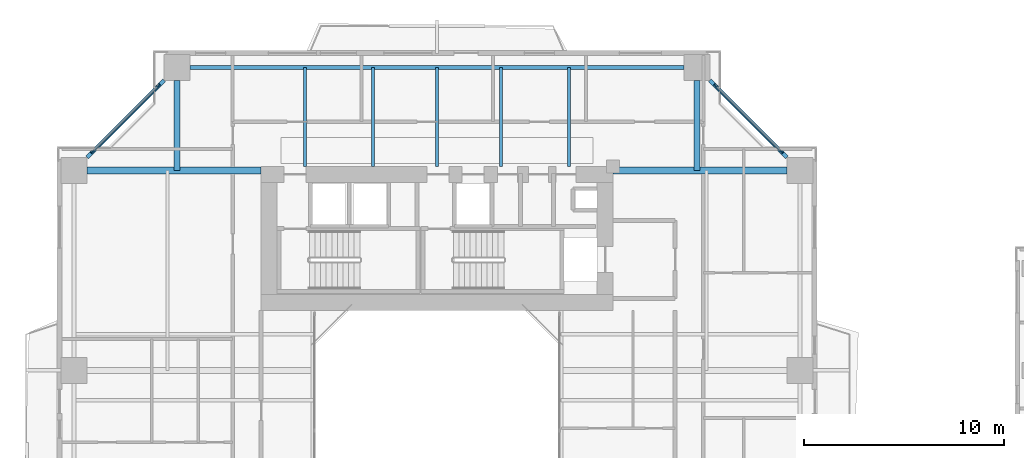
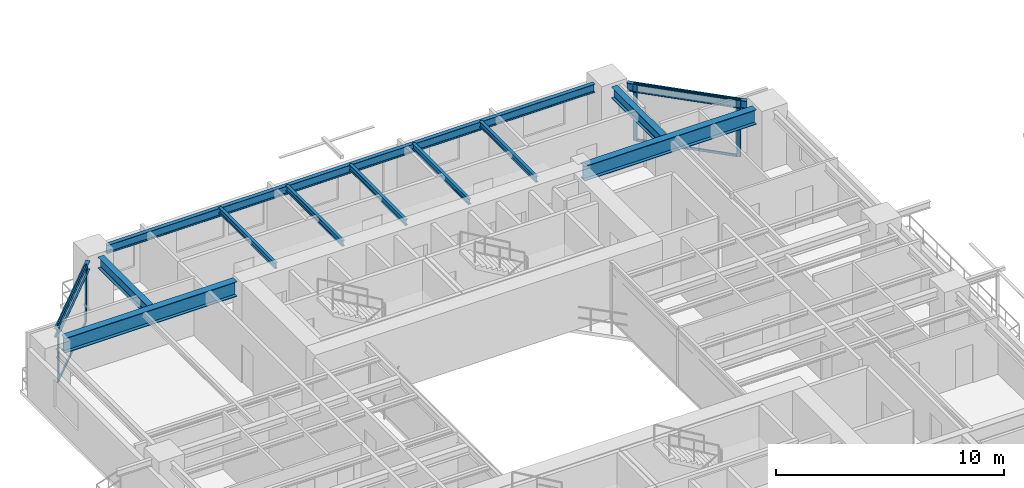
# One storey, part 9 of 24: 12 beams, 8 members, 2 elements without a shape of their own.
"""IFC4 building model written with IfcOpenShell, lengths in metres."""

from ifc_helpers import new_model, si_unit, direction, frame, origin, origin_2d, place, context, subcontext, project, spatial, rectangle, i_section, extrude, source, transform, mapped, material, layer, layer_set, material_profile, profile_set, type_object, element, aggregate, save


model = new_model("IFC4")

# Units and contexts
model_context = context("Model", 3, precision=1e-05, world=origin(), true_north=direction((0.0, 1.0)))
body_context = subcontext(model_context, "Body", "Model", "MODEL_VIEW")
ifc_project = project(units=[si_unit("LENGTHUNIT", "METRE"), si_unit("AREAUNIT", "SQUARE_METRE"), si_unit("VOLUMEUNIT", "CUBIC_METRE"), si_unit("PLANEANGLEUNIT", "RADIAN"), si_unit("MASSUNIT", "GRAM", prefix="KILO"), si_unit("THERMODYNAMICTEMPERATUREUNIT", "KELVIN"), si_unit("POWERUNIT", "WATT")], contexts=[model_context])

# Site, building, storey
site_placement = place(None, origin())
site = spatial("IfcSite", under=ifc_project, at=site_placement, CompositionType="ELEMENT")
building_placement = place(site_placement, origin())
building = spatial("IfcBuilding", under=site, at=building_placement, Name="Qiaomeng Ring Towers", CompositionType="ELEMENT")
storey_placement = place(building_placement, frame((0.0, 0.0, 69.75)))
storey = spatial("IfcBuildingStorey", under=building, at=storey_placement, Name="L19", CompositionType="ELEMENT", Elevation=69.75)

# Beams
ifc_material_1 = material(Name="Steel Q355B", Category="steel")
ifc_material_profile_1 = material_profile(ifc_material_1, i_section(OverallWidth=0.199951171875, OverallDepth=0.449951171875, WebThickness=0.009033203125, FlangeThickness=0.013916015625, FilletRadius=0.01806640625, at=origin_2d()), Name="HN 450x200x9x14")
ifc_profile_set_1 = profile_set([ifc_material_profile_1], Name="Steel Q355B")
beam_type_1 = type_object("IfcBeamType", Name="STR-BM-HN450", PredefinedType="SPANDREL", material=ifc_profile_set_1)
shared_shape_1 = source(origin(), body_context, "Body", "SweptSolid", [
    extrude(i_section(OverallWidth=0.199951171875, OverallDepth=0.449951171875, WebThickness=0.009033203125, FlangeThickness=0.013916015625, FilletRadius=0.01806640625, at=origin_2d()), origin(), (0.0, 0.0, 1.0), 24.7021484375),
])
beam_placement = place(storey_placement, frame((31.35107421875, 41.14990234375, 2.844970703125), z_axis=(-1.0, 0.0, 0.0), x_axis=(0.0, -1.0, 0.0)))
element("IfcBeam", 1, at=beam_placement, inside=storey, type_object=beam_type_1, Name="L19 beam STR-SP-L19-T1-N2-N1", PredefinedType="SPANDREL", context=body_context, shape_type="MappedRepresentation", body=[
    mapped(shared_shape_1, transform((0.0, 0.0, 0.0), x_axis=(1.0, 0.0, 0.0), y_axis=(0.0, 1.0, 0.0), z_axis=(0.0, 0.0, 1.0), scale=1.0)),
])
shared_shape_2 = source(origin(), body_context, "Body", "SweptSolid", [
    extrude(i_section(OverallWidth=0.199951171875, OverallDepth=0.449951171875, WebThickness=0.009033203125, FlangeThickness=0.013916015625, FilletRadius=0.01806640625, at=origin_2d()), origin(), (0.0, 0.0, 1.0), 5.446533203125),
])
for number, where, z_axis, x_axis, name in (
    (2, (36.500732421875, 36.6494140625, 2.844970703125), (-0.707106781187, 0.707106781187, 0.0), (-0.707106781187, -0.707106781187, 0.0), "L19 beam STR-SP-L19-T1-E4-N2"),
    (3, (5.3505859375, 40.500732421875, 2.844970703125), (-0.707106781187, -0.707106781187, 0.0), (0.707106781187, -0.707106781187, 0.0), "L19 beam STR-SP-L19-T1-N1-W4"),
):
    element("IfcBeam", number, at=place(storey_placement, frame(where, z_axis=z_axis, x_axis=x_axis)), inside=storey, type_object=beam_type_1, Name=name, PredefinedType="SPANDREL", context=body_context, shape_type="MappedRepresentation", body=[
        mapped(shared_shape_2, transform((0.0, 0.0, 0.0), x_axis=(1.0, 0.0, 0.0), y_axis=(0.0, 1.0, 0.0), z_axis=(0.0, 0.0, 1.0), scale=1.0)),
    ])
ifc_material_2 = material(Name="Steel Q390GJC", Category="steel")
ifc_material_profile_2 = material_profile(ifc_material_2, i_section(OverallWidth=0.35009765625, OverallDepth=0.800048828125, WebThickness=0.01611328125, FlangeThickness=0.028076171875, at=origin_2d()), Name="WH 800x350x16x28")
ifc_profile_set_2 = profile_set([ifc_material_profile_2], Name="Steel Q390GJC")
beam_type_2 = type_object("IfcBeamType", Name="STR-BM-WH800", PredefinedType="BEAM", material=ifc_profile_set_2)
shared_shape_3 = source(origin(), body_context, "Body", "SweptSolid", [
    extrude(i_section(OverallWidth=0.35009765625, OverallDepth=0.800048828125, WebThickness=0.01611328125, FlangeThickness=0.028076171875, at=origin_2d()), origin(), (0.0, 0.0, 1.0), 8.700927734375),
])
for number, where, z_axis, x_axis, name in (
    (4, (1.4990234375, 36.0, 2.669921875), (1.0, 0.0, 0.0), (0.0, 1.0, 0.0), "L19 beam STR-BM-L19-T1-RAD-W4"),
    (5, (27.800048828125, 36.0, 2.669921875), (1.0, 0.0, 0.0), (0.0, 1.0, 0.0), "L19 beam STR-BM-L19-T1-RAD-E4"),
):
    element("IfcBeam", number, at=place(storey_placement, frame(where, z_axis=z_axis, x_axis=x_axis)), inside=storey, type_object=beam_type_2, Name=name, PredefinedType="BEAM", context=body_context, shape_type="MappedRepresentation", body=[
        mapped(shared_shape_3, transform((0.0, 0.0, 0.0), x_axis=(1.0, 0.0, 0.0), y_axis=(0.0, 1.0, 0.0), z_axis=(0.0, 0.0, 1.0), scale=1.0)),
    ])
ifc_material_profile_3 = material_profile(ifc_material_1, i_section(OverallWidth=0.300048828125, OverallDepth=0.587890625, WebThickness=0.011962890625, FlangeThickness=0.02001953125, FilletRadius=0.028076171875, at=origin_2d()), Name="HM 588x300x12x20")
ifc_profile_set_3 = profile_set([ifc_material_profile_3], Name="Steel Q355B")
beam_type_3 = type_object("IfcBeamType", Name="STR-BM-HM588", PredefinedType="BEAM", material=ifc_profile_set_3)
shared_shape_4 = source(origin(), body_context, "Body", "SweptSolid", [
    extrude(i_section(OverallWidth=0.300048828125, OverallDepth=0.587890625, WebThickness=0.011962890625, FlangeThickness=0.02001953125, FilletRadius=0.028076171875, at=origin_2d()), origin(), (0.0, 0.0, 1.0), 4.5009765625),
])
for number, where, z_axis, x_axis, name in (
    (6, (6.0, 40.5009765625, 2.77587890625), (0.0, -1.0, 0.0), (1.0, 0.0, 0.0), "L19 beam STR-BM-L19-T1-RAD-N1"),
    (7, (32.0, 40.5009765625, 2.77587890625), (0.0, -1.0, 0.0), (1.0, 0.0, 0.0), "L19 beam STR-BM-L19-T1-RAD-N2"),
):
    element("IfcBeam", number, at=place(storey_placement, frame(where, z_axis=z_axis, x_axis=x_axis)), inside=storey, type_object=beam_type_3, Name=name, PredefinedType="BEAM", context=body_context, shape_type="MappedRepresentation", body=[
        mapped(shared_shape_4, transform((0.0, 0.0, 0.0), x_axis=(1.0, 0.0, 0.0), y_axis=(0.0, 1.0, 0.0), z_axis=(0.0, 0.0, 1.0), scale=1.0)),
    ])
ifc_material_profile_4 = material_profile(ifc_material_1, i_section(OverallWidth=0.14990234375, OverallDepth=0.300048828125, WebThickness=0.006591796875, FlangeThickness=0.009033203125, FilletRadius=0.012939453125, at=origin_2d()), Name="HN 300x150x6.5x9")
ifc_profile_set_4 = profile_set([ifc_material_profile_4], Name="Steel Q355B")
beam_type_4 = type_object("IfcBeamType", Name="STR-BM-HN300", PredefinedType="JOIST", material=ifc_profile_set_4)
shared_shape_5 = source(origin(), body_context, "Body", "SweptSolid", [
    extrude(i_section(OverallWidth=0.14990234375, OverallDepth=0.300048828125, WebThickness=0.006591796875, FlangeThickness=0.009033203125, FilletRadius=0.012939453125, at=origin_2d()), origin(), (0.0, 0.0, 1.0), 4.949951171875),
])
for number, where, z_axis, x_axis, name in (
    (8, (12.39990234375, 36.199951171875, 2.919921875), (0.0, 1.0, 0.0), (-1.0, 0.0, 0.0), "L19 beam STR-JST-L19-T1N-1"),
    (9, (15.800048828125, 36.199951171875, 2.919921875), (0.0, 1.0, 0.0), (-1.0, 0.0, 0.0), "L19 beam STR-JST-L19-T1N-2"),
    (10, (19.0, 36.199951171875, 2.919921875), (0.0, 1.0, 0.0), (-1.0, 0.0, 0.0), "L19 beam STR-JST-L19-T1N-3"),
    (11, (22.199951171875, 36.199951171875, 2.919921875), (0.0, 1.0, 0.0), (-1.0, 0.0, 0.0), "L19 beam STR-JST-L19-T1N-4"),
    (12, (25.60009765625, 36.199951171875, 2.919921875), (0.0, 1.0, 0.0), (-1.0, 0.0, 0.0), "L19 beam STR-JST-L19-T1N-5"),
):
    element("IfcBeam", number, at=place(storey_placement, frame(where, z_axis=z_axis, x_axis=x_axis)), inside=storey, type_object=beam_type_4, Name=name, PredefinedType="JOIST", context=body_context, shape_type="MappedRepresentation", body=[
        mapped(shared_shape_5, transform((0.0, 0.0, 0.0), x_axis=(1.0, 0.0, 0.0), y_axis=(0.0, 1.0, 0.0), z_axis=(0.0, 0.0, 1.0), scale=1.0)),
    ])

# Curtain wall, members
ifc_material_3 = material(Name="Fluorocarbon dark-grey aluminium", Category="aluminium")
ifc_layer = layer(ifc_material_3, 0.159912109375, Name="Fluorocarbon dark-grey aluminium")
ifc_layer_set = layer_set([ifc_layer], Name="Fluorocarbon dark-grey aluminium")
curtain_wall_type = type_object("IfcCurtainWallType", Name="ARC-CW-2", PredefinedType="NOTDEFINED", material=ifc_layer_set)
curtain_wall_1_placement = place(storey_placement, origin())
curtain_wall_1 = element("IfcCurtainWall", 13, at=curtain_wall_1_placement, inside=storey, type_object=curtain_wall_type, Name="L19 Curtain Wall CW2", PredefinedType="NOTDEFINED")
ifc_material_profile_5 = material_profile(ifc_material_3, rectangle(XDim=0.070068359375, YDim=0.179931640625, at=origin_2d()), Name="ALU MULL 70x180")
ifc_profile_set_5 = profile_set([ifc_material_profile_5], Name="Fluorocarbon dark-grey aluminium")
member_type_1 = type_object("IfcMemberType", Name="ARC-CWM-160", PredefinedType="MULLION", material=ifc_profile_set_5)
shared_shape_6 = source(origin(), body_context, "Body", "SweptSolid", [
    extrude(rectangle(XDim=0.070068359375, YDim=0.179931640625, at=origin_2d()), origin(), (0.0, 0.0, 1.0), 3.070068359375),
])
member_1_placement = place(storey_placement, frame((36.2353515625, 36.914794921875, 0.0), z_axis=(0.0, 0.0, 1.0), x_axis=(-0.707106781187, -0.707106781187, 0.0)))
member_1 = element("IfcMember", 14, at=member_1_placement, type_object=member_type_1, Name="CW2 mullion 1", PredefinedType="MULLION", context=body_context, shape_type="MappedRepresentation", body=[
    mapped(shared_shape_6, transform((0.0, 0.0, 0.0), x_axis=(1.0, 0.0, 0.0), y_axis=(0.0, 1.0, 0.0), z_axis=(0.0, 0.0, 1.0), scale=1.0)),
])
member_2_placement = place(storey_placement, frame((32.914794921875, 40.2353515625, 0.0), z_axis=(0.0, 0.0, 1.0), x_axis=(-0.707106781187, -0.707106781187, 0.0)))
member_2 = element("IfcMember", 15, at=member_2_placement, type_object=member_type_1, Name="CW2 mullion 2", PredefinedType="MULLION", context=body_context, shape_type="MappedRepresentation", body=[
    mapped(shared_shape_6, transform((0.0, 0.0, 0.0), x_axis=(1.0, 0.0, 0.0), y_axis=(0.0, 1.0, 0.0), z_axis=(0.0, 0.0, 1.0), scale=1.0)),
])

curtain_wall_2_placement = place(storey_placement, origin())
curtain_wall_2 = element("IfcCurtainWall", 16, at=curtain_wall_2_placement, inside=storey, type_object=curtain_wall_type, Name="L19 Curtain Wall CW2", PredefinedType="NOTDEFINED")
member_3_placement = place(storey_placement, frame((5.085205078125, 40.2353515625, 0.0), z_axis=(0.0, 0.0, 1.0), x_axis=(0.707106781187, -0.707106781187, 0.0)))
member_3 = element("IfcMember", 17, at=member_3_placement, type_object=member_type_1, Name="CW2 mullion 1", PredefinedType="MULLION", context=body_context, shape_type="MappedRepresentation", body=[
    mapped(shared_shape_6, transform((0.0, 0.0, 0.0), x_axis=(1.0, 0.0, 0.0), y_axis=(0.0, 1.0, 0.0), z_axis=(0.0, 0.0, 1.0), scale=1.0)),
])
member_4_placement = place(storey_placement, frame((1.7646484375, 36.914794921875, 0.0), z_axis=(0.0, 0.0, 1.0), x_axis=(0.707106781187, -0.707106781187, 0.0)))
member_4 = element("IfcMember", 18, at=member_4_placement, type_object=member_type_1, Name="CW2 mullion 2", PredefinedType="MULLION", context=body_context, shape_type="MappedRepresentation", body=[
    mapped(shared_shape_6, transform((0.0, 0.0, 0.0), x_axis=(1.0, 0.0, 0.0), y_axis=(0.0, 1.0, 0.0), z_axis=(0.0, 0.0, 1.0), scale=1.0)),
])

# Member
ifc_material_profile_6 = material_profile(ifc_material_3, rectangle(XDim=0.06494140625, YDim=0.1298828125, at=origin_2d()), Name="ALU TRAN 65x130")
ifc_profile_set_6 = profile_set([ifc_material_profile_6], Name="Fluorocarbon dark-grey aluminium")
member_type_2 = type_object("IfcMemberType", Name="ARC-CWT-120", PredefinedType="USERDEFINED", material=ifc_profile_set_6)
shared_shape_7 = source(origin(), body_context, "Body", "SweptSolid", [
    extrude(rectangle(XDim=0.06494140625, YDim=0.1298828125, at=origin_2d()), origin(), (0.0, 0.0, 1.0), 4.6259765625),
])
member_5_placement = place(storey_placement, frame((36.21044921875, 36.939453125, 0.032470703125), z_axis=(-0.707106781187, 0.707106781187, 0.0), x_axis=(-0.707106781187, -0.707106781187, 0.0)))
member_5 = element("IfcMember", 19, at=member_5_placement, type_object=member_type_2, Name="CW2 transom 1.1", ObjectType="TRANSOM", PredefinedType="USERDEFINED", context=body_context, shape_type="MappedRepresentation", body=[
    mapped(shared_shape_7, transform((0.0, 0.0, 0.0), x_axis=(1.0, 0.0, 0.0), y_axis=(0.0, 1.0, 0.0), z_axis=(0.0, 0.0, 1.0), scale=1.0)),
])

member_6_placement = place(storey_placement, frame((36.21044921875, 36.939453125, 3.03759765625), z_axis=(-0.707106781187, 0.707106781187, 0.0), x_axis=(-0.707106781187, -0.707106781187, 0.0)))
member_6 = element("IfcMember", 20, at=member_6_placement, type_object=member_type_2, Name="CW2 transom 1.2", ObjectType="TRANSOM", PredefinedType="USERDEFINED", context=body_context, shape_type="MappedRepresentation", body=[
    mapped(shared_shape_7, transform((0.0, 0.0, 0.0), x_axis=(1.0, 0.0, 0.0), y_axis=(0.0, 1.0, 0.0), z_axis=(0.0, 0.0, 1.0), scale=1.0)),
])

aggregate(curtain_wall_1, [member_1, member_2, member_5, member_6])

member_7_placement = place(storey_placement, frame((5.060546875, 40.21044921875, 0.032470703125), z_axis=(-0.707106781187, -0.707106781187, 0.0), x_axis=(0.707106781187, -0.707106781187, 0.0)))
member_7 = element("IfcMember", 21, at=member_7_placement, type_object=member_type_2, Name="CW2 transom 1.1", ObjectType="TRANSOM", PredefinedType="USERDEFINED", context=body_context, shape_type="MappedRepresentation", body=[
    mapped(shared_shape_7, transform((0.0, 0.0, 0.0), x_axis=(1.0, 0.0, 0.0), y_axis=(0.0, 1.0, 0.0), z_axis=(0.0, 0.0, 1.0), scale=1.0)),
])

member_8_placement = place(storey_placement, frame((5.060546875, 40.21044921875, 3.03759765625), z_axis=(-0.707106781187, -0.707106781187, 0.0), x_axis=(0.707106781187, -0.707106781187, 0.0)))
member_8 = element("IfcMember", 22, at=member_8_placement, type_object=member_type_2, Name="CW2 transom 1.2", ObjectType="TRANSOM", PredefinedType="USERDEFINED", context=body_context, shape_type="MappedRepresentation", body=[
    mapped(shared_shape_7, transform((0.0, 0.0, 0.0), x_axis=(1.0, 0.0, 0.0), y_axis=(0.0, 1.0, 0.0), z_axis=(0.0, 0.0, 1.0), scale=1.0)),
])

aggregate(curtain_wall_2, [member_3, member_4, member_7, member_8])

save(model, "model.ifc")
